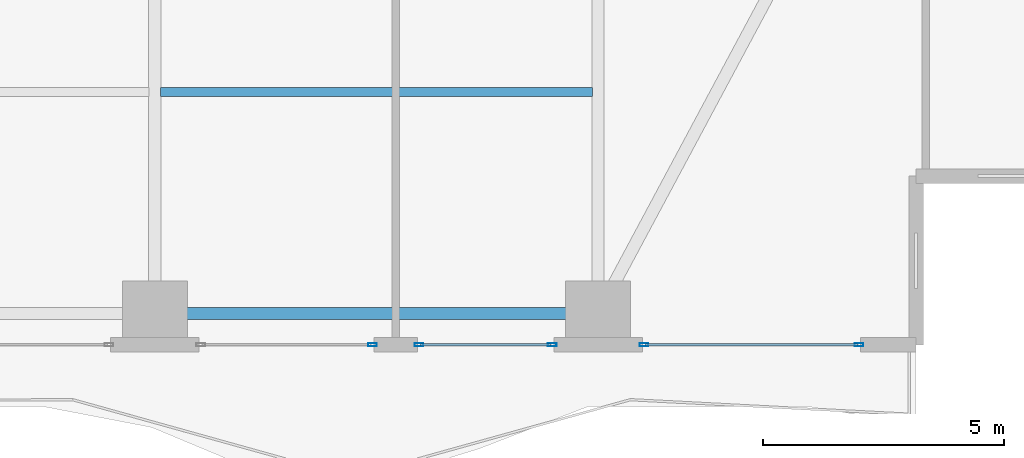
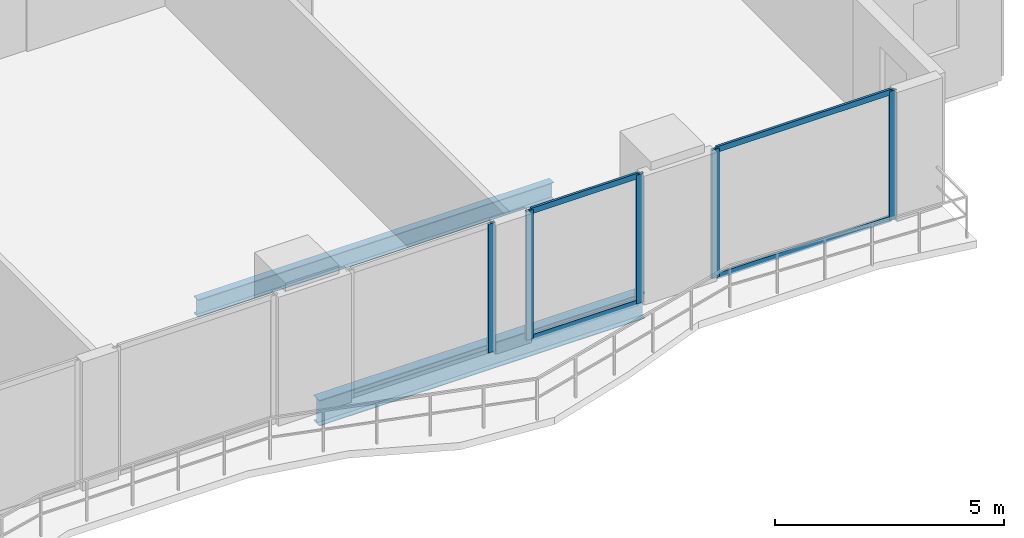
# One storey, part 9 of 28: 9 members, 2 beams, 3 elements without a shape of their own.
"""IFC4 building model written with IfcOpenShell, lengths in metres."""

from ifc_helpers import new_model, si_unit, direction, frame, origin, origin_2d, place, context, subcontext, project, spatial, hollow_rectangle, i_section, extrude, material, layer, layer_set, material_profile, profile_set, type_object, element, aggregate, save


model = new_model("IFC4")

# Units and contexts
model_context = context("Model", 3, precision=1e-05, world=origin(), true_north=direction((0.0, 1.0)))
body_context = subcontext(model_context, "Body", "Model", "MODEL_VIEW")
ifc_project = project(units=[si_unit("LENGTHUNIT", "METRE"), si_unit("AREAUNIT", "SQUARE_METRE"), si_unit("VOLUMEUNIT", "CUBIC_METRE"), si_unit("PLANEANGLEUNIT", "RADIAN"), si_unit("MASSUNIT", "GRAM", prefix="KILO")], contexts=[model_context])

# Site, building, storey
site_placement = place(None, origin())
site = spatial("IfcSite", under=ifc_project, at=site_placement, CompositionType="ELEMENT")
building_placement = place(site_placement, origin())
building = spatial("IfcBuilding", under=site, at=building_placement, Name="Zuhayl Quay Hotel", CompositionType="ELEMENT")
storey_placement = place(building_placement, frame((0.0, 0.0, 143.10009765625)))
storey = spatial("IfcBuildingStorey", under=building, at=storey_placement, Name="L36", CompositionType="ELEMENT", Elevation=143.10009765625)

# Beams
ifc_material_1 = material(Name="Steel ASTM A992 Grade 50", Category="steel")
ifc_material_profile_1 = material_profile(ifc_material_1, i_section(OverallWidth=0.25390625, OverallDepth=0.68310546875, WebThickness=0.012451171875, FlangeThickness=0.018798828125, at=origin_2d()), Name="W27X94")
ifc_profile_set_1 = profile_set([ifc_material_profile_1], Name="Steel ASTM A992 Grade 50")
beam_type_1 = type_object("IfcBeamType", Name="BM_B2_W27X94", PredefinedType="BEAM", material=ifc_profile_set_1)
beam_1_placement = place(storey_placement, frame((5.10009765625, -14.75, -0.5615234375), z_axis=(1.0, 0.0, 0.0), x_axis=(0.0, 1.0, 0.0)))
element("IfcBeam", 1, at=beam_1_placement, inside=storey, type_object=beam_type_1, Name="L36 Floor Beam RG_L36_03", PredefinedType="BEAM", context=body_context, shape_type="SweptSolid", body=[
    extrude(i_section(OverallWidth=0.25390625, OverallDepth=0.68310546875, WebThickness=0.012451171875, FlangeThickness=0.018798828125, at=origin_2d()), origin(), (0.0, 0.0, 1.0), 8.199951171875),
])
ifc_material_profile_2 = material_profile(ifc_material_1, i_section(OverallWidth=0.18994140625, OverallDepth=0.45703125, WebThickness=0.009033203125, FlangeThickness=0.014404296875, at=origin_2d()), Name="W18X50")
ifc_profile_set_2 = profile_set([ifc_material_profile_2], Name="Steel ASTM A992 Grade 50")
beam_type_2 = type_object("IfcBeamType", Name="BM_J2_W18X50", PredefinedType="JOIST", material=ifc_profile_set_2)
beam_2_placement = place(storey_placement, frame((4.718994140625, -10.14990234375, -0.448486328125), z_axis=(1.0, 0.0, 0.0), x_axis=(0.0, 1.0, 0.0)))
element("IfcBeam", 2, at=beam_2_placement, inside=storey, type_object=beam_type_2, Name="L36 Floor Beam FJ_L36_5_3", PredefinedType="JOIST", context=body_context, shape_type="SweptSolid", body=[
    extrude(i_section(OverallWidth=0.18994140625, OverallDepth=0.45703125, WebThickness=0.009033203125, FlangeThickness=0.014404296875, at=origin_2d()), origin(), (0.0, 0.0, 1.0), 8.9619140625),
])

# Curtain wall, members
ifc_material_2 = material(Name="Anodised Aluminium 6063-T6", Category="aluminium")
ifc_layer = layer(ifc_material_2, 0.179931640625, Name="Anodised Aluminium 6063-T6", Category="aluminium")
ifc_layer_set = layer_set([ifc_layer], Name="Anodised Aluminium 6063-T6")
curtain_wall_type = type_object("IfcCurtainWallType", Name="CW_SYS_Z2", PredefinedType="USERDEFINED", material=ifc_layer_set)
curtain_wall_1_placement = place(storey_placement, origin())
curtain_wall_1 = element("IfcCurtainWall", 3, at=curtain_wall_1_placement, inside=storey, type_object=curtain_wall_type, Name="L36 Curtain Wall ENV_L36_S_CW1", ObjectType="UNITISED CURTAIN WALL", PredefinedType="USERDEFINED")
ifc_material_3 = material(Name="Black-anodised aluminium 6063-T6", Category="aluminium")
ifc_material_profile_3 = material_profile(ifc_material_3, hollow_rectangle(XDim=0.06494140625, YDim=0.179931640625, WallThickness=0.00341796875, at=origin_2d()), Name="ALU180X65")
ifc_profile_set_3 = profile_set([ifc_material_profile_3], Name="Black-anodised aluminium 6063-T6")
member_type_1 = type_object("IfcMemberType", Name="MB_CW_MUL_180", PredefinedType="MULLION", material=ifc_profile_set_3)
member_1_placement = place(storey_placement, frame((19.217529296875, -15.39990234375, 0.0), z_axis=(0.0, 0.0, 1.0), x_axis=(0.0, -1.0, 0.0)))
member_1 = element("IfcMember", 4, at=member_1_placement, type_object=member_type_1, Name="CW-Z2 mullion 1", PredefinedType="MULLION", context=body_context, shape_type="SweptSolid", body=[
    extrude(hollow_rectangle(XDim=0.06494140625, YDim=0.179931640625, WallThickness=0.00341796875, at=origin_2d()), origin(), (0.0, 0.0, 1.0), 3.429931640625),
])
member_2_placement = place(storey_placement, frame((14.75244140625, -15.39990234375, 0.0), z_axis=(0.0, 0.0, 1.0), x_axis=(0.0, -1.0, 0.0)))
member_2 = element("IfcMember", 5, at=member_2_placement, type_object=member_type_1, Name="CW-Z2 mullion 2", PredefinedType="MULLION", context=body_context, shape_type="SweptSolid", body=[
    extrude(hollow_rectangle(XDim=0.06494140625, YDim=0.179931640625, WallThickness=0.00341796875, at=origin_2d()), origin(), (0.0, 0.0, 1.0), 3.429931640625),
])

curtain_wall_2_placement = place(storey_placement, origin())
curtain_wall_2 = element("IfcCurtainWall", 6, at=curtain_wall_2_placement, inside=storey, type_object=curtain_wall_type, Name="L36 Curtain Wall ENV_L36_S_CW2", ObjectType="UNITISED CURTAIN WALL", PredefinedType="USERDEFINED")
member_3_placement = place(storey_placement, frame((12.847412109375, -15.39990234375, 0.0), z_axis=(0.0, 0.0, 1.0), x_axis=(0.0, -1.0, 0.0)))
member_3 = element("IfcMember", 7, at=member_3_placement, type_object=member_type_1, Name="CW-Z2 mullion 1", PredefinedType="MULLION", context=body_context, shape_type="SweptSolid", body=[
    extrude(hollow_rectangle(XDim=0.06494140625, YDim=0.179931640625, WallThickness=0.00341796875, at=origin_2d()), origin(), (0.0, 0.0, 1.0), 3.429931640625),
])
member_4_placement = place(storey_placement, frame((10.08251953125, -15.39990234375, 0.0), z_axis=(0.0, 0.0, 1.0), x_axis=(0.0, -1.0, 0.0)))
member_4 = element("IfcMember", 8, at=member_4_placement, type_object=member_type_1, Name="CW-Z2 mullion 2", PredefinedType="MULLION", context=body_context, shape_type="SweptSolid", body=[
    extrude(hollow_rectangle(XDim=0.06494140625, YDim=0.179931640625, WallThickness=0.00341796875, at=origin_2d()), origin(), (0.0, 0.0, 1.0), 3.429931640625),
])

# Curtain wall, member
curtain_wall_3_placement = place(storey_placement, origin())
curtain_wall_3 = element("IfcCurtainWall", 9, at=curtain_wall_3_placement, inside=storey, type_object=curtain_wall_type, Name="L36 Curtain Wall ENV_L36_S_CW3", ObjectType="UNITISED CURTAIN WALL", PredefinedType="USERDEFINED")
member_5_placement = place(storey_placement, frame((9.117431640625, -15.39990234375, 0.0), z_axis=(0.0, 0.0, 1.0), x_axis=(0.0, -1.0, 0.0)))
member_5 = element("IfcMember", 10, at=member_5_placement, type_object=member_type_1, Name="CW-Z2 mullion 1", PredefinedType="MULLION", context=body_context, shape_type="SweptSolid", body=[
    extrude(hollow_rectangle(XDim=0.06494140625, YDim=0.179931640625, WallThickness=0.00341796875, at=origin_2d()), origin(), (0.0, 0.0, 1.0), 3.429931640625),
])
aggregate(curtain_wall_3, [member_5])

# Member
ifc_material_profile_4 = material_profile(ifc_material_3, hollow_rectangle(XDim=0.06005859375, YDim=0.14990234375, WallThickness=0.00341796875, at=origin_2d()), Name="ALU150X60")
ifc_profile_set_4 = profile_set([ifc_material_profile_4], Name="Black-anodised aluminium 6063-T6")
member_type_2 = type_object("IfcMemberType", Name="MB_CW_TRN_150", PredefinedType="USERDEFINED", material=ifc_profile_set_4)
member_6_placement = place(storey_placement, frame((19.18505859375, -15.39990234375, 0.02978515625), z_axis=(-1.0, 0.0, 0.0), x_axis=(0.0, -1.0, 0.0)))
member_6 = element("IfcMember", 11, at=member_6_placement, type_object=member_type_2, Name="CW-Z2 transom 1.1", ObjectType="TRANSOM", PredefinedType="USERDEFINED", context=body_context, shape_type="SweptSolid", body=[
    extrude(hollow_rectangle(XDim=0.06005859375, YDim=0.14990234375, WallThickness=0.00341796875, at=origin_2d()), origin(), (0.0, 0.0, 1.0), 4.400146484375),
])

member_7_placement = place(storey_placement, frame((19.18505859375, -15.39990234375, 3.39990234375), z_axis=(-1.0, 0.0, 0.0), x_axis=(0.0, -1.0, 0.0)))
member_7 = element("IfcMember", 12, at=member_7_placement, type_object=member_type_2, Name="CW-Z2 transom 1.2", ObjectType="TRANSOM", PredefinedType="USERDEFINED", context=body_context, shape_type="SweptSolid", body=[
    extrude(hollow_rectangle(XDim=0.06005859375, YDim=0.14990234375, WallThickness=0.00341796875, at=origin_2d()), origin(), (0.0, 0.0, 1.0), 4.400146484375),
])

aggregate(curtain_wall_1, [member_1, member_2, member_6, member_7])

member_8_placement = place(storey_placement, frame((12.81494140625, -15.39990234375, 0.02978515625), z_axis=(-1.0, 0.0, 0.0), x_axis=(0.0, -1.0, 0.0)))
member_8 = element("IfcMember", 13, at=member_8_placement, type_object=member_type_2, Name="CW-Z2 transom 1.1", ObjectType="TRANSOM", PredefinedType="USERDEFINED", context=body_context, shape_type="SweptSolid", body=[
    extrude(hollow_rectangle(XDim=0.06005859375, YDim=0.14990234375, WallThickness=0.00341796875, at=origin_2d()), origin(), (0.0, 0.0, 1.0), 2.699951171875),
])

member_9_placement = place(storey_placement, frame((12.81494140625, -15.39990234375, 3.39990234375), z_axis=(-1.0, 0.0, 0.0), x_axis=(0.0, -1.0, 0.0)))
member_9 = element("IfcMember", 14, at=member_9_placement, type_object=member_type_2, Name="CW-Z2 transom 1.2", ObjectType="TRANSOM", PredefinedType="USERDEFINED", context=body_context, shape_type="SweptSolid", body=[
    extrude(hollow_rectangle(XDim=0.06005859375, YDim=0.14990234375, WallThickness=0.00341796875, at=origin_2d()), origin(), (0.0, 0.0, 1.0), 2.699951171875),
])

aggregate(curtain_wall_2, [member_3, member_4, member_8, member_9])

save(model, "model.ifc")
